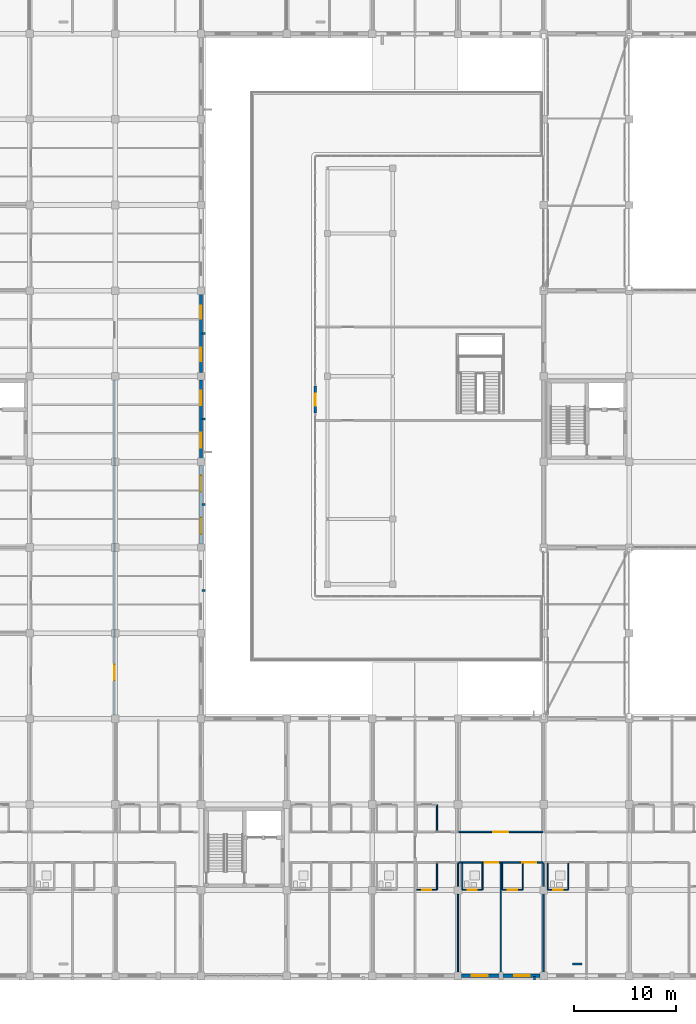
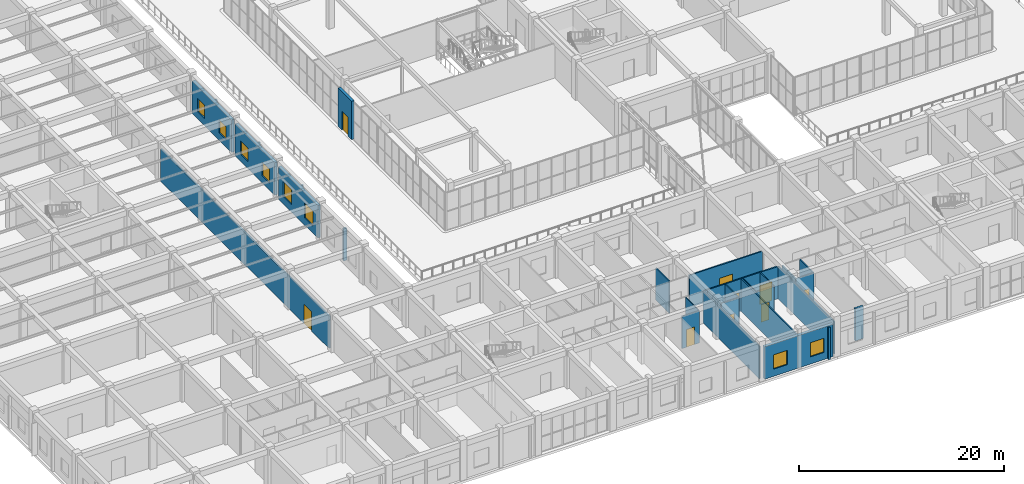
# One storey, part 119 of 158: 29 walls, 9 doors, 8 windows, 17 openings.
"""IFC4 building model written with IfcOpenShell, lengths in metres."""

from ifc_helpers import new_model, si_unit, direction, frame, frame_2d, origin, place, context, subcontext, project, spatial, rectangle, extrude, material, layer, layer_set, type_object, element, fill, save


model = new_model("IFC4")

# Units and contexts
model_context = context("Model", 3, precision=1e-05, world=origin(), true_north=direction((0.0, 1.0)))
body_context = subcontext(model_context, "Body", "Model", "MODEL_VIEW")
ifc_project = project(units=[si_unit("LENGTHUNIT", "METRE"), si_unit("AREAUNIT", "SQUARE_METRE"), si_unit("VOLUMEUNIT", "CUBIC_METRE"), si_unit("PLANEANGLEUNIT", "RADIAN"), si_unit("MASSUNIT", "GRAM", prefix="KILO")], contexts=[model_context])

# Site, building, storey
site_placement = place(None, origin())
site = spatial("IfcSite", under=ifc_project, at=site_placement, CompositionType="ELEMENT")
building_placement = place(site_placement, origin())
building = spatial("IfcBuilding", under=site, at=building_placement, Name="Trelvath General Hospital", CompositionType="ELEMENT")
storey_placement = place(building_placement, frame((0.0, 0.0, 8.10009765625)))
storey = spatial("IfcBuildingStorey", under=building, at=storey_placement, Name="L02", CompositionType="ELEMENT", Elevation=8.10009765625)

# Walls
ifc_material_1 = material(Name="Precast concrete C40/50", Category="concrete")
ifc_layer_1 = layer(ifc_material_1, 0.199951171875)
ifc_layer_set_1 = layer_set([ifc_layer_1], Name="Precast concrete C40/50")
wall_type_1 = type_object("IfcWallType", Name="BriseSoleilRib 200", PredefinedType="ELEMENTEDWALL", material=ifc_layer_set_1)
for number, where, z_axis, x_axis, name in (
    (1, (42.074951171875, 37.800048828125, 0.0), (0.0, 0.0, 1.0), (1.0, 0.0, 0.0), "Precast Concrete Brise-Soleil Rib Fin L02-180"),
    (2, (42.074951171875, 46.199951171875, 0.0), (0.0, 0.0, 1.0), (1.0, 0.0, 0.0), "Precast Concrete Brise-Soleil Rib Fin L02-181"),
    (3, (42.074951171875, 54.60009765625, 0.0), (0.0, 0.0, 1.0), (1.0, 0.0, 0.0), "Precast Concrete Brise-Soleil Rib Fin L02-182"),
    (4, (42.074951171875, 63.0, 0.0), (0.0, 0.0, 1.0), (1.0, 0.0, 0.0), "Precast Concrete Brise-Soleil Rib Fin L02-183"),
    (5, (74.706787109375, -0.074951171875, 0.0), (0.0, 0.0, 1.0), (0.0, -1.0, 0.0), "Precast Concrete Brise-Soleil Rib Fin L02-195"),
):
    element("IfcWall", number, at=place(storey_placement, frame(where, z_axis=z_axis, x_axis=x_axis)), inside=storey, type_object=wall_type_1, Name=name, PredefinedType="ELEMENTEDWALL", context=body_context, shape_type="SweptSolid", body=[
        extrude(rectangle(XDim=0.340087890625, YDim=0.199951171875, at=frame_2d((0.169921875, 0.0))), origin(), (0.0, 0.0, 1.0), 3.83984375),
    ])

# Wall, openings, doors
ifc_material_2 = material(Name="Gypsum acoustic steel-stud partition", Category="steel")
ifc_layer_2 = layer(ifc_material_2, 0.14990234375)
ifc_layer_set_2 = layer_set([ifc_layer_2], Name="Gypsum acoustic steel-stud partition")
wall_type_2 = type_object("IfcWallType", Name="ClinicalPartition 150", PredefinedType="PARTITIONING", material=ifc_layer_set_2)
wall_1_placement = place(storey_placement, frame((67.280029296875, 11.10009765625, 0.0), z_axis=(0.0, 0.0, 1.0), x_axis=(1.0, 0.0, 0.0)))
wall_1 = element("IfcWall", 6, at=wall_1_placement, inside=storey, type_object=wall_type_2, Name="Corridor Partition L02-757", PredefinedType="PARTITIONING", context=body_context, shape_type="SweptSolid", body=[
    extrude(rectangle(XDim=8.239990234375, YDim=0.14990234375, at=frame_2d((4.1201171875, 0.0))), origin(), (0.0, 0.0, 1.0), 3.83984375),
])
opening_1_placement = place(wall_1_placement, frame((2.530029296875, 0.0, 0.0)))
opening_1 = element("IfcOpeningElement", 7, at=opening_1_placement, cuts=wall_1, Name="Opening D-2-0666", PredefinedType="OPENING", context=body_context, shape_type="SweptSolid", body=[
    extrude(rectangle(XDim=1.35009765625, YDim=2.25, at=frame_2d((0.675048828125, 1.125))), frame((0.0, 0.0849609375, 0.0), z_axis=(0.0, -1.0, 0.0), x_axis=(1.0, 0.0, 0.0)), (0.0, 0.0, 1.0), 0.169921875),
])
opening_2_placement = place(wall_1_placement, frame((6.22998046875, 0.0, 0.0)))
opening_2 = element("IfcOpeningElement", 8, at=opening_2_placement, cuts=wall_1, Name="Opening D-2-0667", PredefinedType="OPENING", context=body_context, shape_type="SweptSolid", body=[
    extrude(rectangle(XDim=1.35009765625, YDim=2.25, at=frame_2d((0.675048828125, 1.125))), frame((0.0, 0.0849609375, 0.0), z_axis=(0.0, -1.0, 0.0), x_axis=(1.0, 0.0, 0.0)), (0.0, 0.0, 1.0), 0.169921875),
])
ifc_material_3 = material(Name="Airtight isolation bed door")
door_type_1 = type_object("IfcDoorType", Name="Door PatientIso 1350x2250", OperationType="NOTDEFINED", PredefinedType="DOOR", material=ifc_material_3)
door_1_placement = place(opening_1_placement, origin())
door_1 = element("IfcDoor", 9, at=door_1_placement, inside=storey, type_object=door_type_1, Name="Patient Room Door L02-666", OperationType="SINGLE_SWING_RIGHT", OverallHeight=2.25, OverallWidth=1.35009765625, PredefinedType="DOOR", context=body_context, shape_type="SweptSolid", body=[
    extrude(rectangle(XDim=1.35009765625, YDim=2.25, at=frame_2d((0.675048828125, 1.125))), frame((0.0, 0.02490234375, 0.0), z_axis=(0.0, -1.0, 0.0), x_axis=(1.0, 0.0, 0.0)), (0.0, 0.0, 1.0), 0.050048828125),
])
fill(opening_1, door_1)
door_2_placement = place(opening_2_placement, origin())
door_2 = element("IfcDoor", 10, at=door_2_placement, inside=storey, type_object=door_type_1, Name="Patient Room Door L02-667", OperationType="SINGLE_SWING_LEFT", OverallHeight=2.25, OverallWidth=1.35009765625, PredefinedType="DOOR", context=body_context, shape_type="SweptSolid", body=[
    extrude(rectangle(XDim=1.35009765625, YDim=2.25, at=frame_2d((0.675048828125, 1.125))), frame((0.0, 0.02490234375, 0.0), z_axis=(0.0, -1.0, 0.0), x_axis=(1.0, 0.0, 0.0)), (0.0, 0.0, 1.0), 0.050048828125),
])
fill(opening_2, door_2)

# Wall, opening, door
wall_2_placement = place(storey_placement, frame((75.52001953125, 14.10009765625, 0.0), z_axis=(0.0, 0.0, 1.0), x_axis=(-1.0, 0.0, 0.0)))
wall_2 = element("IfcWall", 11, at=wall_2_placement, inside=storey, type_object=wall_type_2, Name="Corridor Partition N L02-765", PredefinedType="PARTITIONING", context=body_context, shape_type="SweptSolid", body=[
    extrude(rectangle(XDim=8.239990234375, YDim=0.14990234375, at=frame_2d((4.1201171875, 0.0))), origin(), (0.0, 0.0, 1.0), 3.83984375),
])
opening_3_placement = place(wall_2_placement, frame((3.3701171875, 0.0, 0.0)))
opening_3 = element("IfcOpeningElement", 12, at=opening_3_placement, cuts=wall_2, Name="Opening D-2-0670", PredefinedType="OPENING", context=body_context, shape_type="SweptSolid", body=[
    extrude(rectangle(XDim=1.5, YDim=2.300048828125, at=frame_2d((0.75, 1.14990234375))), frame((0.0, 0.0849609375, 0.0), z_axis=(0.0, -1.0, 0.0), x_axis=(1.0, 0.0, 0.0)), (0.0, 0.0, 1.0), 0.169921875),
])
ifc_material_4 = material(Name="Glazed aluminium ICU sliding door", Category="aluminium")
door_type_2 = type_object("IfcDoorType", Name="Door ICUSliding 1500x2300", OperationType="SLIDING_TO_LEFT", PredefinedType="DOOR", material=ifc_material_4)
door_3_placement = place(opening_3_placement, origin())
door_3 = element("IfcDoor", 13, at=door_3_placement, inside=storey, type_object=door_type_2, Name="Clinical Room Door L02-670", OperationType="SLIDING_TO_LEFT", OverallHeight=2.300048828125, OverallWidth=1.5, PredefinedType="DOOR", context=body_context, shape_type="SweptSolid", body=[
    extrude(rectangle(XDim=1.5, YDim=2.300048828125, at=frame_2d((0.75, 1.14990234375))), frame((0.0, 0.02490234375, 0.0), z_axis=(0.0, -1.0, 0.0), x_axis=(1.0, 0.0, 0.0)), (0.0, 0.0, 1.0), 0.050048828125),
])
fill(opening_3, door_3)

wall_3_placement = place(storey_placement, frame((33.5, 25.60009765625, 0.0), z_axis=(0.0, 0.0, 1.0), x_axis=(0.0, 1.0, 0.0)))
wall_3 = element("IfcWall", 14, at=wall_3_placement, inside=storey, type_object=wall_type_2, Name="PACU Partition L02-1047", PredefinedType="PARTITIONING", context=body_context, shape_type="SweptSolid", body=[
    extrude(rectangle(XDim=32.7998046875, YDim=0.14990234375, at=frame_2d((16.39990234375, 0.0))), origin(), (0.0, 0.0, 1.0), 3.83984375),
])
opening_4_placement = place(wall_3_placement, frame((3.39990234375, 0.0, 0.0)))
opening_4 = element("IfcOpeningElement", 15, at=opening_4_placement, cuts=wall_3, Name="Opening D-2-0806", PredefinedType="OPENING", context=body_context, shape_type="SweptSolid", body=[
    extrude(rectangle(XDim=1.5, YDim=2.300048828125, at=frame_2d((0.75, 1.14990234375))), frame((0.0, 0.0849609375, 0.0), z_axis=(0.0, -1.0, 0.0), x_axis=(1.0, 0.0, 0.0)), (0.0, 0.0, 1.0), 0.169921875),
])
door_4_placement = place(opening_4_placement, origin())
door_4 = element("IfcDoor", 16, at=door_4_placement, inside=storey, type_object=door_type_2, Name="PACU Door L02-806", OperationType="SLIDING_TO_LEFT", OverallHeight=2.300048828125, OverallWidth=1.5, PredefinedType="DOOR", context=body_context, shape_type="SweptSolid", body=[
    extrude(rectangle(XDim=1.5, YDim=2.300048828125, at=frame_2d((0.75, 1.14990234375))), frame((0.0, 0.02490234375, 0.0), z_axis=(0.0, -1.0, 0.0), x_axis=(1.0, 0.0, 0.0)), (0.0, 0.0, 1.0), 0.050048828125),
])
fill(opening_4, door_4)

# Wall
ifc_material_5 = material(Name="Moisture-resistant tile partition")
ifc_layer_3 = layer(ifc_material_5, 0.110107421875)
ifc_layer_set_3 = layer_set([ifc_layer_3], Name="Moisture-resistant tile partition")
wall_type_3 = type_object("IfcWallType", Name="EnSuiteWetWall 110", PredefinedType="PARTITIONING", material=ifc_layer_set_3)
wall_4_placement = place(storey_placement, frame((65.139892578125, 8.419921875, 0.0), z_axis=(0.0, 0.0, 1.0), x_axis=(0.0, 1.0, 0.0)))
element("IfcWall", 17, at=wall_4_placement, inside=storey, type_object=wall_type_3, Name="En-Suite E Wall L02-744", PredefinedType="PARTITIONING", context=body_context, shape_type="SweptSolid", body=[
    extrude(rectangle(XDim=2.610107421875, YDim=0.110107421875, at=frame_2d((1.30517578125, 0.0))), origin(), (0.0, 0.0, 1.0), 3.83984375),
])

# Wall, opening, door
wall_5_placement = place(storey_placement, frame((63.159912109375, 8.419921875, 0.0), z_axis=(0.0, 0.0, 1.0), x_axis=(1.0, 0.0, 0.0)))
wall_5 = element("IfcWall", 18, at=wall_5_placement, inside=storey, type_object=wall_type_3, Name="En-Suite Bathroom Partition L02-745", PredefinedType="PARTITIONING", context=body_context, shape_type="SweptSolid", body=[
    extrude(rectangle(XDim=1.97998046875, YDim=0.110107421875, at=frame_2d((0.989990234375, 0.0))), origin(), (0.0, 0.0, 1.0), 3.83984375),
])
opening_5_placement = place(wall_5_placement, frame((0.5400390625, 0.0, 0.0)))
opening_5 = element("IfcOpeningElement", 19, at=opening_5_placement, cuts=wall_5, Name="Opening D-2-0660", PredefinedType="OPENING", context=body_context, shape_type="SweptSolid", body=[
    extrude(rectangle(XDim=0.89990234375, YDim=2.10009765625, at=frame_2d((0.449951171875, 1.050048828125))), frame((0.0, 0.06494140625, 0.0), z_axis=(0.0, -1.0, 0.0), x_axis=(1.0, 0.0, 0.0)), (0.0, 0.0, 1.0), 0.130126953125),
])
ifc_material_6 = material(Name="Moisture-sealed timber leaf", Category="wood")
door_type_3 = type_object("IfcDoorType", Name="Door EnSuite 900x2100", OperationType="NOTDEFINED", PredefinedType="DOOR", material=ifc_material_6)
door_5_placement = place(opening_5_placement, origin())
door_5 = element("IfcDoor", 20, at=door_5_placement, inside=storey, type_object=door_type_3, Name="En-Suite Bathroom Door L02-660", OperationType="SINGLE_SWING_RIGHT", OverallHeight=2.10009765625, OverallWidth=0.89990234375, PredefinedType="DOOR", context=body_context, shape_type="SweptSolid", body=[
    extrude(rectangle(XDim=0.89990234375, YDim=2.10009765625, at=frame_2d((0.449951171875, 1.050048828125))), frame((0.0, 0.02490234375, 0.0), z_axis=(0.0, -1.0, 0.0), x_axis=(1.0, 0.0, 0.0)), (0.0, 0.0, 1.0), 0.050048828125),
])
fill(opening_5, door_5)

# Walls
for number, where, z_axis, x_axis, name in (
    (21, (65.139892578125, 14.169921875, 0.0), (0.0, 0.0, 1.0), (0.0, 1.0, 0.0), "En-Suite E Wall N L02-752"),
    (22, (67.6201171875, 8.419921875, 0.0), (0.0, 0.0, 1.0), (0.0, 1.0, 0.0), "En-Suite W Wall L02-759"),
    (23, (69.60009765625, 8.419921875, 0.0), (0.0, 0.0, 1.0), (0.0, 1.0, 0.0), "En-Suite E Wall L02-760"),
):
    element("IfcWall", number, at=place(storey_placement, frame(where, z_axis=z_axis, x_axis=x_axis)), inside=storey, type_object=wall_type_3, Name=name, PredefinedType="PARTITIONING", context=body_context, shape_type="SweptSolid", body=[
        extrude(rectangle(XDim=2.610107421875, YDim=0.110107421875, at=frame_2d((1.30517578125, 0.0))), origin(), (0.0, 0.0, 1.0), 3.83984375),
    ])

# Wall, opening, door
wall_6_placement = place(storey_placement, frame((67.6201171875, 8.419921875, 0.0), z_axis=(0.0, 0.0, 1.0), x_axis=(1.0, 0.0, 0.0)))
wall_6 = element("IfcWall", 24, at=wall_6_placement, inside=storey, type_object=wall_type_3, Name="En-Suite Bathroom Partition L02-761", PredefinedType="PARTITIONING", context=body_context, shape_type="SweptSolid", body=[
    extrude(rectangle(XDim=1.97998046875, YDim=0.110107421875, at=frame_2d((0.989990234375, 0.0))), origin(), (0.0, 0.0, 1.0), 3.83984375),
])
opening_6_placement = place(wall_6_placement, frame((0.5400390625, 0.0, 0.0)))
opening_6 = element("IfcOpeningElement", 25, at=opening_6_placement, cuts=wall_6, Name="Opening D-2-0668", PredefinedType="OPENING", context=body_context, shape_type="SweptSolid", body=[
    extrude(rectangle(XDim=0.89990234375, YDim=2.10009765625, at=frame_2d((0.449951171875, 1.050048828125))), frame((0.0, 0.06494140625, 0.0), z_axis=(0.0, -1.0, 0.0), x_axis=(1.0, 0.0, 0.0)), (0.0, 0.0, 1.0), 0.130126953125),
])
door_6_placement = place(opening_6_placement, origin())
door_6 = element("IfcDoor", 26, at=door_6_placement, inside=storey, type_object=door_type_3, Name="En-Suite Bathroom Door L02-668", OperationType="SINGLE_SWING_RIGHT", OverallHeight=2.10009765625, OverallWidth=0.89990234375, PredefinedType="DOOR", context=body_context, shape_type="SweptSolid", body=[
    extrude(rectangle(XDim=0.89990234375, YDim=2.10009765625, at=frame_2d((0.449951171875, 1.050048828125))), frame((0.0, 0.02490234375, 0.0), z_axis=(0.0, -1.0, 0.0), x_axis=(1.0, 0.0, 0.0)), (0.0, 0.0, 1.0), 0.050048828125),
])
fill(opening_6, door_6)

# Walls
for number, where, z_axis, x_axis, name in (
    (27, (71.56005859375, 8.419921875, 0.0), (0.0, 0.0, 1.0), (0.0, 1.0, 0.0), "En-Suite W Wall L02-762"),
    (28, (73.5400390625, 8.419921875, 0.0), (0.0, 0.0, 1.0), (0.0, 1.0, 0.0), "En-Suite E Wall L02-763"),
):
    element("IfcWall", number, at=place(storey_placement, frame(where, z_axis=z_axis, x_axis=x_axis)), inside=storey, type_object=wall_type_3, Name=name, PredefinedType="PARTITIONING", context=body_context, shape_type="SweptSolid", body=[
        extrude(rectangle(XDim=2.610107421875, YDim=0.110107421875, at=frame_2d((1.30517578125, 0.0))), origin(), (0.0, 0.0, 1.0), 3.83984375),
    ])

# Wall, opening, door
wall_7_placement = place(storey_placement, frame((71.56005859375, 8.419921875, 0.0), z_axis=(0.0, 0.0, 1.0), x_axis=(1.0, 0.0, 0.0)))
wall_7 = element("IfcWall", 29, at=wall_7_placement, inside=storey, type_object=wall_type_3, Name="En-Suite Bathroom Partition L02-764", PredefinedType="PARTITIONING", context=body_context, shape_type="SweptSolid", body=[
    extrude(rectangle(XDim=1.97998046875, YDim=0.110107421875, at=frame_2d((0.989990234375, 0.0))), origin(), (0.0, 0.0, 1.0), 3.83984375),
])
opening_7_placement = place(wall_7_placement, frame((0.5400390625, 0.0, 0.0)))
opening_7 = element("IfcOpeningElement", 30, at=opening_7_placement, cuts=wall_7, Name="Opening D-2-0669", PredefinedType="OPENING", context=body_context, shape_type="SweptSolid", body=[
    extrude(rectangle(XDim=0.89990234375, YDim=2.10009765625, at=frame_2d((0.449951171875, 1.050048828125))), frame((0.0, 0.06494140625, 0.0), z_axis=(0.0, -1.0, 0.0), x_axis=(1.0, 0.0, 0.0)), (0.0, 0.0, 1.0), 0.130126953125),
])
door_7_placement = place(opening_7_placement, origin())
door_7 = element("IfcDoor", 31, at=door_7_placement, inside=storey, type_object=door_type_3, Name="En-Suite Bathroom Door L02-669", OperationType="SINGLE_SWING_LEFT", OverallHeight=2.10009765625, OverallWidth=0.89990234375, PredefinedType="DOOR", context=body_context, shape_type="SweptSolid", body=[
    extrude(rectangle(XDim=0.89990234375, YDim=2.10009765625, at=frame_2d((0.449951171875, 1.050048828125))), frame((0.0, 0.02490234375, 0.0), z_axis=(0.0, -1.0, 0.0), x_axis=(1.0, 0.0, 0.0)), (0.0, 0.0, 1.0), 0.050048828125),
])
fill(opening_7, door_7)

# Walls
for number, where, z_axis, x_axis, name in (
    (32, (76.02001953125, 8.419921875, 0.0), (0.0, 0.0, 1.0), (0.0, 1.0, 0.0), "En-Suite W Wall L02-770"),
    (33, (78.0, 8.419921875, 0.0), (0.0, 0.0, 1.0), (0.0, 1.0, 0.0), "En-Suite E Wall L02-771"),
):
    element("IfcWall", number, at=place(storey_placement, frame(where, z_axis=z_axis, x_axis=x_axis)), inside=storey, type_object=wall_type_3, Name=name, PredefinedType="PARTITIONING", context=body_context, shape_type="SweptSolid", body=[
        extrude(rectangle(XDim=2.610107421875, YDim=0.110107421875, at=frame_2d((1.30517578125, 0.0))), origin(), (0.0, 0.0, 1.0), 3.83984375),
    ])

# Wall, opening, door
wall_8_placement = place(storey_placement, frame((76.02001953125, 8.419921875, 0.0), z_axis=(0.0, 0.0, 1.0), x_axis=(1.0, 0.0, 0.0)))
wall_8 = element("IfcWall", 34, at=wall_8_placement, inside=storey, type_object=wall_type_3, Name="En-Suite Bathroom Partition L02-772", PredefinedType="PARTITIONING", context=body_context, shape_type="SweptSolid", body=[
    extrude(rectangle(XDim=1.97998046875, YDim=0.110107421875, at=frame_2d((0.989990234375, 0.0))), origin(), (0.0, 0.0, 1.0), 3.83984375),
])
opening_8_placement = place(wall_8_placement, frame((0.5400390625, 0.0, 0.0)))
opening_8 = element("IfcOpeningElement", 35, at=opening_8_placement, cuts=wall_8, Name="Opening D-2-0673", PredefinedType="OPENING", context=body_context, shape_type="SweptSolid", body=[
    extrude(rectangle(XDim=0.89990234375, YDim=2.10009765625, at=frame_2d((0.449951171875, 1.050048828125))), frame((0.0, 0.06494140625, 0.0), z_axis=(0.0, -1.0, 0.0), x_axis=(1.0, 0.0, 0.0)), (0.0, 0.0, 1.0), 0.130126953125),
])
door_8_placement = place(opening_8_placement, origin())
door_8 = element("IfcDoor", 36, at=door_8_placement, inside=storey, type_object=door_type_3, Name="En-Suite Bathroom Door L02-673", OperationType="SINGLE_SWING_RIGHT", OverallHeight=2.10009765625, OverallWidth=0.89990234375, PredefinedType="DOOR", context=body_context, shape_type="SweptSolid", body=[
    extrude(rectangle(XDim=0.89990234375, YDim=2.10009765625, at=frame_2d((0.449951171875, 1.050048828125))), frame((0.0, 0.02490234375, 0.0), z_axis=(0.0, -1.0, 0.0), x_axis=(1.0, 0.0, 0.0)), (0.0, 0.0, 1.0), 0.050048828125),
])
fill(opening_8, door_8)

ifc_material_7 = material(Name="Concrete C35/45", Category="concrete")
ifc_layer_4 = layer(ifc_material_7, 0.2900390625)
ifc_layer_set_4 = layer_set([ifc_layer_4], Name="Concrete C35/45")
wall_type_4 = type_object("IfcWallType", Name="ExtBushHammeredWall 290", PredefinedType="SOLIDWALL", material=ifc_layer_set_4)
wall_9_placement = place(storey_placement, frame((53.199951171875, 55.179931640625, 0.0), z_axis=(0.0, 0.0, 1.0), x_axis=(0.0, 1.0, 0.0)))
wall_9 = element("IfcWall", 37, at=wall_9_placement, inside=storey, type_object=wall_type_4, Name="Crystal Cube Terrace Portal CUBE-W-T1 L02", PredefinedType="SOLIDWALL", context=body_context, shape_type="SweptSolid", body=[
    extrude(rectangle(XDim=2.64013671875, YDim=0.2900390625, at=frame_2d((1.320068359375, 0.0))), origin(), (0.0, 0.0, 1.0), 4.559814453125),
])
opening_9_placement = place(wall_9_placement, frame((0.719970703125, 0.0, 0.0)))
opening_9 = element("IfcOpeningElement", 38, at=opening_9_placement, cuts=wall_9, Name="Opening TD-C71", PredefinedType="OPENING", context=body_context, shape_type="SweptSolid", body=[
    extrude(rectangle(XDim=1.199951171875, YDim=2.25, at=frame_2d((0.60009765625, 1.125))), frame((0.0, 0.155029296875, 0.0), z_axis=(0.0, -1.0, 0.0), x_axis=(1.0, 0.0, 0.0)), (0.0, 0.0, 1.0), 0.31005859375),
])
ifc_material_8 = material(Name="Thermally broken glazed aluminium door", Category="aluminium")
door_type_4 = type_object("IfcDoorType", Name="Door Terrace 1200x2250", OperationType="NOTDEFINED", PredefinedType="DOOR", material=ifc_material_8)
door_9_placement = place(opening_9_placement, origin())
door_9 = element("IfcDoor", 39, at=door_9_placement, inside=storey, type_object=door_type_4, Name="Crystal Cube Planted Terrace Door CUBE-W-T1 L02", OperationType="SINGLE_SWING_LEFT", OverallHeight=2.25, OverallWidth=1.199951171875, PredefinedType="DOOR", context=body_context, shape_type="SweptSolid", body=[
    extrude(rectangle(XDim=1.199951171875, YDim=2.25, at=frame_2d((0.60009765625, 1.125))), frame((0.0, 0.02490234375, 0.0), z_axis=(0.0, -1.0, 0.0), x_axis=(1.0, 0.0, 0.0)), (0.0, 0.0, 1.0), 0.050048828125),
])
fill(opening_9, door_9)

# Wall, openings, windows
ifc_material_9 = material(Name="Concrete C35/45", Category="concrete")
ifc_layer_5 = layer(ifc_material_9, 0.320068359375)
ifc_layer_set_5 = layer_set([ifc_layer_5], Name="Concrete C35/45")
wall_type_5 = type_object("IfcWallType", Name="ExtThermalWall 320", PredefinedType="SOLIDWALL", material=ifc_layer_set_5)
wall_10_placement = place(storey_placement, frame((42.0, 50.044921875, 0.0), z_axis=(0.0, 0.0, 1.0), x_axis=(0.0, -1.0, 0.0)))
wall_10 = element("IfcWall", 40, at=wall_10_placement, inside=storey, type_object=wall_type_5, Name="Exterior Concrete Wall L02-245", PredefinedType="SOLIDWALL", context=body_context, shape_type="SweptSolid", body=[
    extrude(rectangle(XDim=7.68994140625, YDim=0.320068359375, at=frame_2d((3.844970703125, 0.0))), origin(), (0.0, 0.0, 1.0), 3.85986328125),
])
opening_10_placement = place(wall_10_placement, frame((0.958740234375, 0.0, 0.85009765625)))
opening_10 = element("IfcOpeningElement", 41, at=opening_10_placement, cuts=wall_10, Name="Opening WN-2-387", PredefinedType="OPENING", context=body_context, shape_type="SweptSolid", body=[
    extrude(rectangle(XDim=1.6201171875, YDim=1.800048828125, at=frame_2d((0.81005859375, 0.89990234375))), frame((0.0, 0.169921875, 0.0), z_axis=(0.0, -1.0, 0.0), x_axis=(1.0, 0.0, 0.0)), (0.0, 0.0, 1.0), 0.340087890625),
])
opening_11_placement = place(wall_10_placement, frame((5.111328125, 0.0, 0.85009765625)))
opening_11 = element("IfcOpeningElement", 42, at=opening_11_placement, cuts=wall_10, Name="Opening WN-2-388", PredefinedType="OPENING", context=body_context, shape_type="SweptSolid", body=[
    extrude(rectangle(XDim=1.6201171875, YDim=1.800048828125, at=frame_2d((0.81005859375, 0.89990234375))), frame((0.0, 0.169921875, 0.0), z_axis=(0.0, -1.0, 0.0), x_axis=(1.0, 0.0, 0.0)), (0.0, 0.0, 1.0), 0.340087890625),
])
ifc_material_10 = material(Name="Low-E laminated glass", Category="glass")
window_type_1 = type_object("IfcWindowType", Name="Window Rehab 1620x1800", PartitioningType="DOUBLE_PANEL_VERTICAL", PredefinedType="WINDOW", material=ifc_material_10)
window_1_placement = place(opening_10_placement, origin())
window_1 = element("IfcWindow", 43, at=window_1_placement, inside=storey, type_object=window_type_1, Name="Solar Reveal Window L02-387", OverallHeight=1.800048828125, OverallWidth=1.6201171875, PartitioningType="SINGLE_PANEL", PredefinedType="WINDOW", context=body_context, shape_type="SweptSolid", body=[
    extrude(rectangle(XDim=1.6201171875, YDim=1.800048828125, at=frame_2d((0.81005859375, 0.89990234375))), frame((0.0, 0.030029296875, 0.0), z_axis=(0.0, -1.0, 0.0), x_axis=(1.0, 0.0, 0.0)), (0.0, 0.0, 1.0), 0.06005859375),
])
fill(opening_10, window_1)
window_2_placement = place(opening_11_placement, origin())
window_2 = element("IfcWindow", 44, at=window_2_placement, inside=storey, type_object=window_type_1, Name="Solar Reveal Window L02-388", OverallHeight=1.800048828125, OverallWidth=1.6201171875, PartitioningType="SINGLE_PANEL", PredefinedType="WINDOW", context=body_context, shape_type="SweptSolid", body=[
    extrude(rectangle(XDim=1.6201171875, YDim=1.800048828125, at=frame_2d((0.81005859375, 0.89990234375))), frame((0.0, 0.030029296875, 0.0), z_axis=(0.0, -1.0, 0.0), x_axis=(1.0, 0.0, 0.0)), (0.0, 0.0, 1.0), 0.06005859375),
])
fill(opening_11, window_2)

wall_11_placement = place(storey_placement, frame((42.0, 58.445068359375, 0.0), z_axis=(0.0, 0.0, 1.0), x_axis=(0.0, -1.0, 0.0)))
wall_11 = element("IfcWall", 45, at=wall_11_placement, inside=storey, type_object=wall_type_5, Name="Exterior Concrete Wall L02-246", PredefinedType="SOLIDWALL", context=body_context, shape_type="SweptSolid", body=[
    extrude(rectangle(XDim=7.690185546875, YDim=0.320068359375, at=frame_2d((3.84521484375, 0.0))), origin(), (0.0, 0.0, 1.0), 3.85986328125),
])
opening_12_placement = place(wall_11_placement, frame((1.048583984375, 0.0, 0.85009765625)))
opening_12 = element("IfcOpeningElement", 46, at=opening_12_placement, cuts=wall_11, Name="Opening WN-2-389", PredefinedType="OPENING", context=body_context, shape_type="SweptSolid", body=[
    extrude(rectangle(XDim=1.43994140625, YDim=1.6201171875, at=frame_2d((0.719970703125, 0.81005859375))), frame((0.0, 0.169921875, 0.0), z_axis=(0.0, -1.0, 0.0), x_axis=(1.0, 0.0, 0.0)), (0.0, 0.0, 1.0), 0.340087890625),
])
opening_13_placement = place(wall_11_placement, frame((5.201416015625, 0.0, 0.85009765625)))
opening_13 = element("IfcOpeningElement", 47, at=opening_13_placement, cuts=wall_11, Name="Opening WN-2-390", PredefinedType="OPENING", context=body_context, shape_type="SweptSolid", body=[
    extrude(rectangle(XDim=1.43994140625, YDim=1.6201171875, at=frame_2d((0.719970703125, 0.81005859375))), frame((0.0, 0.169921875, 0.0), z_axis=(0.0, -1.0, 0.0), x_axis=(1.0, 0.0, 0.0)), (0.0, 0.0, 1.0), 0.340087890625),
])
ifc_material_11 = material(Name="Low-E laminated glass", Category="glass")
window_type_2 = type_object("IfcWindowType", Name="Window Maternity 1440x1620", PartitioningType="DOUBLE_PANEL_VERTICAL", PredefinedType="WINDOW", material=ifc_material_11)
window_3_placement = place(opening_12_placement, origin())
window_3 = element("IfcWindow", 48, at=window_3_placement, inside=storey, type_object=window_type_2, Name="Solar Reveal Window L02-389", OverallHeight=1.6201171875, OverallWidth=1.43994140625, PartitioningType="SINGLE_PANEL", PredefinedType="WINDOW", context=body_context, shape_type="SweptSolid", body=[
    extrude(rectangle(XDim=1.43994140625, YDim=1.6201171875, at=frame_2d((0.719970703125, 0.81005859375))), frame((0.0, 0.030029296875, 0.0), z_axis=(0.0, -1.0, 0.0), x_axis=(1.0, 0.0, 0.0)), (0.0, 0.0, 1.0), 0.06005859375),
])
fill(opening_12, window_3)
window_4_placement = place(opening_13_placement, origin())
window_4 = element("IfcWindow", 49, at=window_4_placement, inside=storey, type_object=window_type_2, Name="Solar Reveal Window L02-390", OverallHeight=1.6201171875, OverallWidth=1.43994140625, PartitioningType="SINGLE_PANEL", PredefinedType="WINDOW", context=body_context, shape_type="SweptSolid", body=[
    extrude(rectangle(XDim=1.43994140625, YDim=1.6201171875, at=frame_2d((0.719970703125, 0.81005859375))), frame((0.0, 0.030029296875, 0.0), z_axis=(0.0, -1.0, 0.0), x_axis=(1.0, 0.0, 0.0)), (0.0, 0.0, 1.0), 0.06005859375),
])
fill(opening_13, window_4)

wall_12_placement = place(storey_placement, frame((42.0, 66.844970703125, 0.0), z_axis=(0.0, 0.0, 1.0), x_axis=(0.0, -1.0, 0.0)))
wall_12 = element("IfcWall", 50, at=wall_12_placement, inside=storey, type_object=wall_type_5, Name="Exterior Concrete Wall L02-247", PredefinedType="SOLIDWALL", context=body_context, shape_type="SweptSolid", body=[
    extrude(rectangle(XDim=7.68994140625, YDim=0.320068359375, at=frame_2d((3.844970703125, 0.0))), origin(), (0.0, 0.0, 1.0), 3.85986328125),
])
opening_14_placement = place(wall_12_placement, frame((1.108642578125, 0.0, 0.85009765625)))
opening_14 = element("IfcOpeningElement", 51, at=opening_14_placement, cuts=wall_12, Name="Opening WN-2-391", PredefinedType="OPENING", context=body_context, shape_type="SweptSolid", body=[
    extrude(rectangle(XDim=1.320068359375, YDim=1.580078125, at=frame_2d((0.66015625, 0.7900390625))), frame((0.0, 0.169921875, 0.0), z_axis=(0.0, -1.0, 0.0), x_axis=(1.0, 0.0, 0.0)), (0.0, 0.0, 1.0), 0.340087890625),
])
opening_15_placement = place(wall_12_placement, frame((5.26123046875, 0.0, 0.85009765625)))
opening_15 = element("IfcOpeningElement", 52, at=opening_15_placement, cuts=wall_12, Name="Opening WN-2-392", PredefinedType="OPENING", context=body_context, shape_type="SweptSolid", body=[
    extrude(rectangle(XDim=1.320068359375, YDim=1.580078125, at=frame_2d((0.66015625, 0.7900390625))), frame((0.0, 0.169921875, 0.0), z_axis=(0.0, -1.0, 0.0), x_axis=(1.0, 0.0, 0.0)), (0.0, 0.0, 1.0), 0.340087890625),
])
ifc_material_12 = material(Name="Low-E laminated glass", Category="glass")
window_type_3 = type_object("IfcWindowType", Name="Window Pediatrics 1320x1580", PartitioningType="DOUBLE_PANEL_VERTICAL", PredefinedType="WINDOW", material=ifc_material_12)
window_5_placement = place(opening_14_placement, origin())
window_5 = element("IfcWindow", 53, at=window_5_placement, inside=storey, type_object=window_type_3, Name="Solar Reveal Window L02-391", OverallHeight=1.580078125, OverallWidth=1.320068359375, PartitioningType="SINGLE_PANEL", PredefinedType="WINDOW", context=body_context, shape_type="SweptSolid", body=[
    extrude(rectangle(XDim=1.320068359375, YDim=1.580078125, at=frame_2d((0.66015625, 0.7900390625))), frame((0.0, 0.030029296875, 0.0), z_axis=(0.0, -1.0, 0.0), x_axis=(1.0, 0.0, 0.0)), (0.0, 0.0, 1.0), 0.06005859375),
])
fill(opening_14, window_5)
window_6_placement = place(opening_15_placement, origin())
window_6 = element("IfcWindow", 54, at=window_6_placement, inside=storey, type_object=window_type_3, Name="Solar Reveal Window L02-392", OverallHeight=1.580078125, OverallWidth=1.320068359375, PartitioningType="SINGLE_PANEL", PredefinedType="WINDOW", context=body_context, shape_type="SweptSolid", body=[
    extrude(rectangle(XDim=1.320068359375, YDim=1.580078125, at=frame_2d((0.66015625, 0.7900390625))), frame((0.0, 0.030029296875, 0.0), z_axis=(0.0, -1.0, 0.0), x_axis=(1.0, 0.0, 0.0)), (0.0, 0.0, 1.0), 0.06005859375),
])
fill(opening_15, window_6)

wall_13_placement = place(storey_placement, frame((75.2451171875, 0.0, 0.0), z_axis=(0.0, 0.0, 1.0), x_axis=(-1.0, 0.0, 0.0)))
wall_13 = element("IfcWall", 55, at=wall_13_placement, inside=storey, type_object=wall_type_5, Name="Exterior Concrete Wall L02-262", PredefinedType="SOLIDWALL", context=body_context, shape_type="SweptSolid", body=[
    extrude(rectangle(XDim=7.690185546875, YDim=0.320068359375, at=frame_2d((3.84521484375, 0.0))), origin(), (0.0, 0.0, 1.0), 3.85986328125),
])
opening_16_placement = place(wall_13_placement, frame((0.98876953125, 0.0, 0.85009765625)))
opening_16 = element("IfcOpeningElement", 56, at=opening_16_placement, cuts=wall_13, Name="Opening WN-2-421", PredefinedType="OPENING", context=body_context, shape_type="SweptSolid", body=[
    extrude(rectangle(XDim=1.56005859375, YDim=1.699951171875, at=frame_2d((0.780029296875, 0.85009765625))), frame((0.0, 0.169921875, 0.0), z_axis=(0.0, -1.0, 0.0), x_axis=(1.0, 0.0, 0.0)), (0.0, 0.0, 1.0), 0.340087890625),
])
opening_17_placement = place(wall_13_placement, frame((5.141357421875, 0.0, 0.85009765625)))
opening_17 = element("IfcOpeningElement", 57, at=opening_17_placement, cuts=wall_13, Name="Opening WN-2-422", PredefinedType="OPENING", context=body_context, shape_type="SweptSolid", body=[
    extrude(rectangle(XDim=1.56005859375, YDim=1.699951171875, at=frame_2d((0.780029296875, 0.85009765625))), frame((0.0, 0.169921875, 0.0), z_axis=(0.0, -1.0, 0.0), x_axis=(1.0, 0.0, 0.0)), (0.0, 0.0, 1.0), 0.340087890625),
])
ifc_material_13 = material(Name="Low-E laminated glass", Category="glass")
window_type_4 = type_object("IfcWindowType", Name="Window Dialysis 1560x1700", PartitioningType="DOUBLE_PANEL_VERTICAL", PredefinedType="WINDOW", material=ifc_material_13)
window_7_placement = place(opening_16_placement, origin())
window_7 = element("IfcWindow", 58, at=window_7_placement, inside=storey, type_object=window_type_4, Name="Solar Reveal Window L02-421", OverallHeight=1.699951171875, OverallWidth=1.56005859375, PartitioningType="SINGLE_PANEL", PredefinedType="WINDOW", context=body_context, shape_type="SweptSolid", body=[
    extrude(rectangle(XDim=1.56005859375, YDim=1.699951171875, at=frame_2d((0.780029296875, 0.85009765625))), frame((0.0, 0.030029296875, 0.0), z_axis=(0.0, -1.0, 0.0), x_axis=(1.0, 0.0, 0.0)), (0.0, 0.0, 1.0), 0.06005859375),
])
fill(opening_16, window_7)
window_8_placement = place(opening_17_placement, origin())
window_8 = element("IfcWindow", 59, at=window_8_placement, inside=storey, type_object=window_type_4, Name="Solar Reveal Window L02-422", OverallHeight=1.699951171875, OverallWidth=1.56005859375, PartitioningType="SINGLE_PANEL", PredefinedType="WINDOW", context=body_context, shape_type="SweptSolid", body=[
    extrude(rectangle(XDim=1.56005859375, YDim=1.699951171875, at=frame_2d((0.780029296875, 0.85009765625))), frame((0.0, 0.030029296875, 0.0), z_axis=(0.0, -1.0, 0.0), x_axis=(1.0, 0.0, 0.0)), (0.0, 0.0, 1.0), 0.06005859375),
])
fill(opening_17, window_8)

# Walls
ifc_material_14 = material(Name="Masonry service chase blockwork", Category="masonry")
ifc_layer_6 = layer(ifc_material_14, 0.239990234375)
ifc_layer_set_6 = layer_set([ifc_layer_6], Name="Masonry service chase blockwork")
wall_type_6 = type_object("IfcWallType", Name="PlumbingChaseWall 240", PredefinedType="PLUMBINGWALL", material=ifc_layer_set_6)
wall_14_placement = place(storey_placement, frame((78.449951171875, 1.14990234375, 0.0), z_axis=(0.0, 0.0, 1.0), x_axis=(1.0, 0.0, 0.0)))
element("IfcWall", 60, at=wall_14_placement, inside=storey, type_object=wall_type_6, Name="Medical Gas Plumbing Chase L02-776", PredefinedType="PLUMBINGWALL", context=body_context, shape_type="SweptSolid", body=[
    extrude(rectangle(XDim=0.900146484375, YDim=0.239990234375, at=frame_2d((0.4501953125, 0.0))), origin(), (0.0, 0.0, 1.0), 3.83984375),
])
ifc_material_15 = material(Name="Gypsum acoustic steel-stud partition", Category="steel")
ifc_layer_7 = layer(ifc_material_15, 0.1298828125)
ifc_layer_set_7 = layer_set([ifc_layer_7], Name="Gypsum acoustic steel-stud partition")
wall_type_7 = type_object("IfcWallType", Name="WardPartition 130", PredefinedType="PARTITIONING", material=ifc_layer_set_7)
wall_15_placement = place(storey_placement, frame((67.199951171875, 0.139892578125, 0.0), z_axis=(0.0, 0.0, 1.0), x_axis=(0.0, 1.0, 0.0)))
element("IfcWall", 61, at=wall_15_placement, inside=storey, type_object=wall_type_7, Name="Inter-Bay Ward Partition S L02-755", PredefinedType="PARTITIONING", context=body_context, shape_type="SweptSolid", body=[
    extrude(rectangle(XDim=10.940185546875, YDim=0.1298828125, at=frame_2d((5.47021484375, 0.0))), origin(), (0.0, 0.0, 1.0), 3.83984375),
])
wall_16_placement = place(storey_placement, frame((71.39990234375, 0.10009765625, 0.0), z_axis=(0.0, 0.0, 1.0), x_axis=(0.0, 1.0, 0.0)))
element("IfcWall", 62, at=wall_16_placement, inside=storey, type_object=wall_type_7, Name="Room Dividing Partition S L02-758", PredefinedType="PARTITIONING", context=body_context, shape_type="SweptSolid", body=[
    extrude(rectangle(XDim=10.929931640625, YDim=0.1298828125, at=frame_2d((5.46484375, 0.0))), origin(), (0.0, 0.0, 1.0), 3.83984375),
])
wall_17_placement = place(storey_placement, frame((75.60009765625, 0.139892578125, 0.0), z_axis=(0.0, 0.0, 1.0), x_axis=(0.0, 1.0, 0.0)))
element("IfcWall", 63, at=wall_17_placement, inside=storey, type_object=wall_type_7, Name="Inter-Bay Ward Partition S L02-766", PredefinedType="PARTITIONING", context=body_context, shape_type="SweptSolid", body=[
    extrude(rectangle(XDim=10.940185546875, YDim=0.1298828125, at=frame_2d((5.47021484375, 0.0))), origin(), (0.0, 0.0, 1.0), 3.83984375),
])

save(model, "model.ifc")
